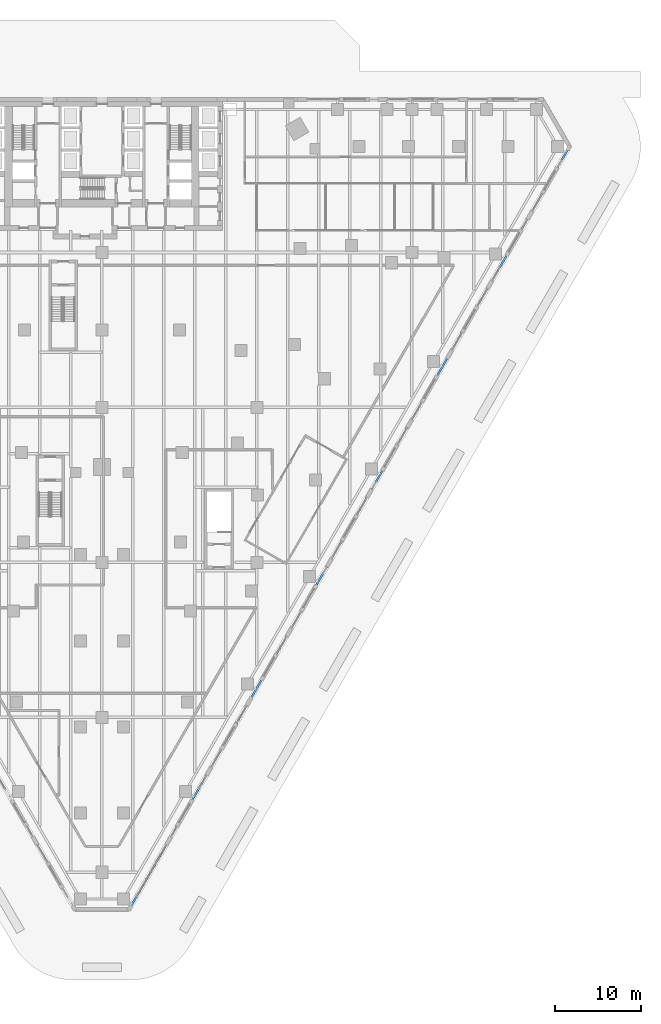
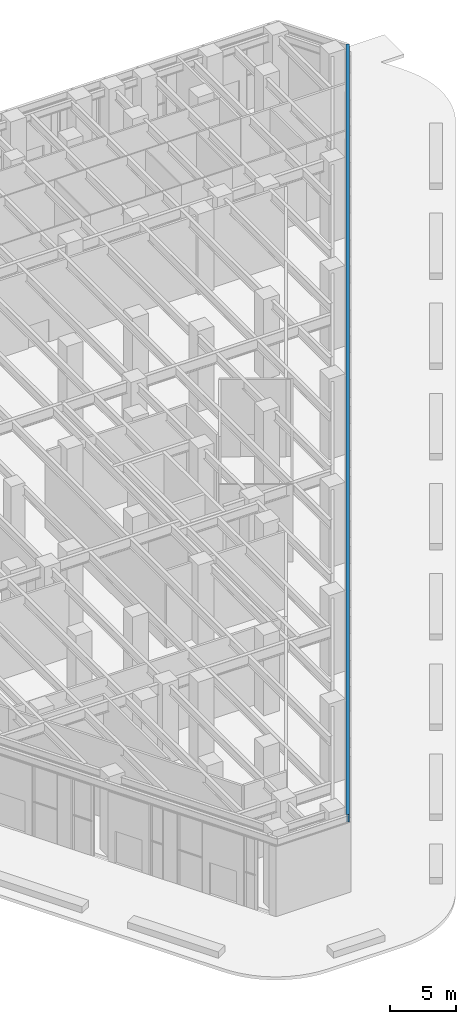
# One storey, part 9 of 37: 1 beam.
"""IFC4 building model written with IfcOpenShell, lengths in metres."""

from ifc_helpers import new_model, si_unit, direction, frame, origin, origin_2d, place, context, subcontext, project, spatial, i_section, extrude, material, material_profile, profile_set, type_object, element, save


model = new_model("IFC4")

# Units and contexts
model_context = context("Model", 3, precision=1e-05, world=origin(), true_north=direction((0.0, 1.0)))
body_context = subcontext(model_context, "Body", "Model", "MODEL_VIEW")
ifc_project = project(units=[si_unit("LENGTHUNIT", "METRE"), si_unit("AREAUNIT", "SQUARE_METRE"), si_unit("VOLUMEUNIT", "CUBIC_METRE"), si_unit("PLANEANGLEUNIT", "RADIAN"), si_unit("MASSUNIT", "GRAM", prefix="KILO")], contexts=[model_context])

# Site, building, storey
site_placement = place(None, origin())
site = spatial("IfcSite", under=ifc_project, at=site_placement, CompositionType="ELEMENT")
building_placement = place(site_placement, origin())
building = spatial("IfcBuilding", under=site, at=building_placement, Name="Aloe Facet Convention Tower", CompositionType="ELEMENT")
storey_placement = place(building_placement, origin())
storey = spatial("IfcBuildingStorey", under=building, at=storey_placement, Name="L00", CompositionType="ELEMENT", Elevation=0.0)

# Beam
ifc_material = material(Name="Steel S355", Category="steel")
ifc_material_profile = material_profile(ifc_material, i_section(OverallWidth=0.25439453125, OverallDepth=0.6875, WebThickness=0.01318359375, FlangeThickness=0.02099609375, FilletRadius=0.01513671875, at=origin_2d()), Name="UB 686x254x152")
ifc_profile_set = profile_set([ifc_material_profile], Name="Steel S355")
beam_type = type_object("IfcBeamType", Name="EV-EB-UB686x254x152", PredefinedType="BEAM", material=ifc_profile_set)
beam_placement = place(storey_placement, frame((83.10498046875, 40.598876953125, 6.856201171875), z_axis=(0.500002624191, 0.866023888702, 0.0), x_axis=(-0.866023888702, 0.500002624191, 0.0)))
element("IfcBeam", 1, at=beam_placement, inside=storey, type_object=beam_type, Name="EB-L01-E", PredefinedType="BEAM", context=body_context, shape_type="SweptSolid", body=[
    extrude(i_section(OverallWidth=0.25439453125, OverallDepth=0.6875, WebThickness=0.01318359375, FlangeThickness=0.02099609375, FilletRadius=0.01513671875, at=origin_2d()), origin(), (0.0, 0.0, 1.0), 102.53515625),
])

save(model, "model.ifc")
